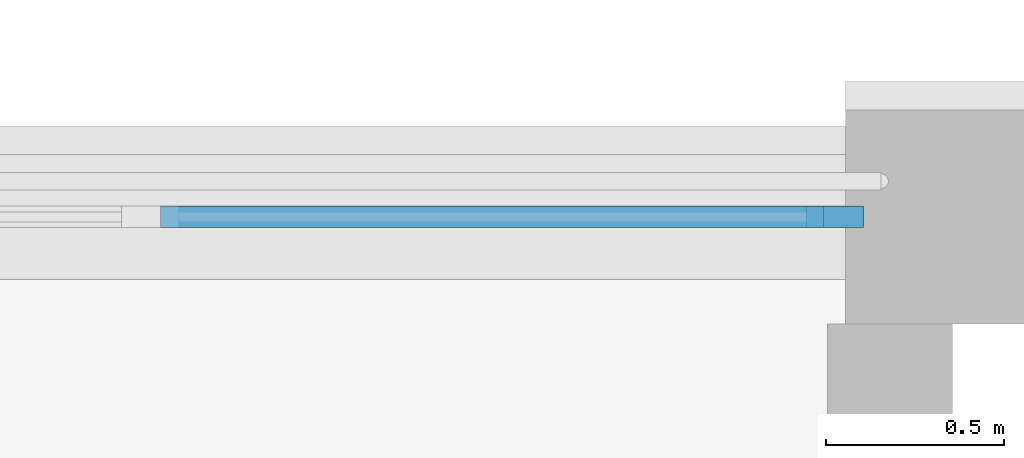
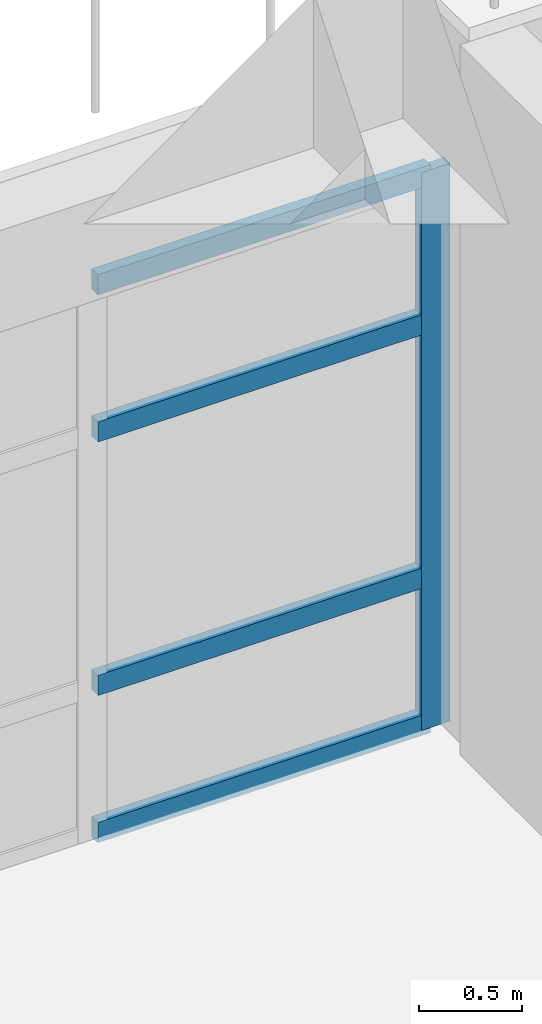
# One storey, part 40 of 105: 5 members, 1 element without a shape of its own.
"""IFC4 building model written with IfcOpenShell, lengths in metres."""

from ifc_helpers import new_model, si_unit, direction, frame, origin, origin_2d, place, context, subcontext, project, spatial, rectangle, extrude, material, layer, layer_set, material_profile, profile_set, type_object, element, aggregate, save


model = new_model("IFC4")

# Units and contexts
model_context = context("Model", 3, precision=1e-05, world=origin(), true_north=direction((0.0, 1.0)))
body_context = subcontext(model_context, "Body", "Model", "MODEL_VIEW")
ifc_project = project(units=[si_unit("LENGTHUNIT", "METRE"), si_unit("AREAUNIT", "SQUARE_METRE"), si_unit("VOLUMEUNIT", "CUBIC_METRE"), si_unit("PLANEANGLEUNIT", "RADIAN"), si_unit("MASSUNIT", "GRAM", prefix="KILO")], contexts=[model_context])

# Site, building, storey
site_placement = place(None, origin())
site = spatial("IfcSite", under=ifc_project, at=site_placement, CompositionType="ELEMENT")
building_placement = place(site_placement, origin())
building = spatial("IfcBuilding", under=site, at=building_placement, Name="Wasatch Bagh Community Centre", CompositionType="ELEMENT")
storey_placement = place(building_placement, frame((0.0, 0.0, 16.800048828125)))
storey = spatial("IfcBuildingStorey", under=building, at=storey_placement, Name="L04", CompositionType="ELEMENT", Elevation=16.800048828125)

# Curtain wall, members
ifc_material_1 = material(Name="Aluminium curtain wall frame with low-iron glass", Category="aluminium")
ifc_layer = layer(ifc_material_1, 0.10009765625)
ifc_layer_set = layer_set([ifc_layer], Name="Aluminium curtain wall frame with low-iron glass")
curtain_wall_type = type_object("IfcCurtainWallType", Name="LW curtain wall 100", PredefinedType="NOTDEFINED", material=ifc_layer_set)
curtain_wall_placement = place(storey_placement, origin())
curtain_wall = element("IfcCurtainWall", 1, at=curtain_wall_placement, inside=storey, type_object=curtain_wall_type, Name="Curtain wall 04.08", PredefinedType="NOTDEFINED")
ifc_material_2 = material(Name="Aluminium extrusion", Category="aluminium")
ifc_material_profile_1 = material_profile(ifc_material_2, rectangle(XDim=0.06005859375, YDim=0.159912109375, at=origin_2d()), Name="AL 60x160")
ifc_profile_set_1 = profile_set([ifc_material_profile_1], Name="Aluminium extrusion")
member_type_1 = type_object("IfcMemberType", Name="LW curtain wall mullion 60x160", PredefinedType="MULLION", material=ifc_profile_set_1)
member_1_placement = place(storey_placement, frame((130.8701171875, 97.800048828125, 0.0), z_axis=(0.0, 0.0, 1.0), x_axis=(0.0, 1.0, 0.0)))
member_1 = element("IfcMember", 2, at=member_1_placement, type_object=member_type_1, Name="LW-CW1 mullion 5", PredefinedType="MULLION", context=body_context, shape_type="SweptSolid", body=[
    extrude(rectangle(XDim=0.06005859375, YDim=0.159912109375, at=origin_2d()), origin(), (0.0, 0.0, 1.0), 3.300048828125),
])
ifc_material_profile_2 = material_profile(ifc_material_2, rectangle(XDim=0.06005859375, YDim=0.1201171875, at=origin_2d()), Name="AL 60x120")
ifc_profile_set_2 = profile_set([ifc_material_profile_2], Name="Aluminium extrusion")
member_type_2 = type_object("IfcMemberType", Name="LW curtain wall transom 60x120", PredefinedType="USERDEFINED", material=ifc_profile_set_2)
member_2_placement = place(storey_placement, frame((128.97998046875, 97.800048828125, 0.030029296875), z_axis=(1.0, 0.0, 0.0), x_axis=(0.0, 1.0, 0.0)))
member_2 = element("IfcMember", 3, at=member_2_placement, type_object=member_type_2, Name="LW-CW1 transom 4.1", ObjectType="TRANSOM", PredefinedType="USERDEFINED", context=body_context, shape_type="SweptSolid", body=[
    extrude(rectangle(XDim=0.06005859375, YDim=0.1201171875, at=origin_2d()), origin(), (0.0, 0.0, 1.0), 1.860107421875),
])
member_3_placement = place(storey_placement, frame((128.97998046875, 97.800048828125, 0.89990234375), z_axis=(1.0, 0.0, 0.0), x_axis=(0.0, 1.0, 0.0)))
member_3 = element("IfcMember", 4, at=member_3_placement, type_object=member_type_2, Name="LW-CW1 transom 4.2", ObjectType="TRANSOM", PredefinedType="USERDEFINED", context=body_context, shape_type="SweptSolid", body=[
    extrude(rectangle(XDim=0.06005859375, YDim=0.1201171875, at=origin_2d()), origin(), (0.0, 0.0, 1.0), 1.860107421875),
])
member_4_placement = place(storey_placement, frame((128.97998046875, 97.800048828125, 2.39990234375), z_axis=(1.0, 0.0, 0.0), x_axis=(0.0, 1.0, 0.0)))
member_4 = element("IfcMember", 5, at=member_4_placement, type_object=member_type_2, Name="LW-CW1 transom 4.3", ObjectType="TRANSOM", PredefinedType="USERDEFINED", context=body_context, shape_type="SweptSolid", body=[
    extrude(rectangle(XDim=0.06005859375, YDim=0.1201171875, at=origin_2d()), origin(), (0.0, 0.0, 1.0), 1.860107421875),
])
member_5_placement = place(storey_placement, frame((128.97998046875, 97.800048828125, 3.27001953125), z_axis=(1.0, 0.0, 0.0), x_axis=(0.0, 1.0, 0.0)))
member_5 = element("IfcMember", 6, at=member_5_placement, type_object=member_type_2, Name="LW-CW1 transom 4.4", ObjectType="TRANSOM", PredefinedType="USERDEFINED", context=body_context, shape_type="SweptSolid", body=[
    extrude(rectangle(XDim=0.06005859375, YDim=0.1201171875, at=origin_2d()), origin(), (0.0, 0.0, 1.0), 1.860107421875),
])
aggregate(curtain_wall, [member_1, member_2, member_3, member_4, member_5])

save(model, "model.ifc")
